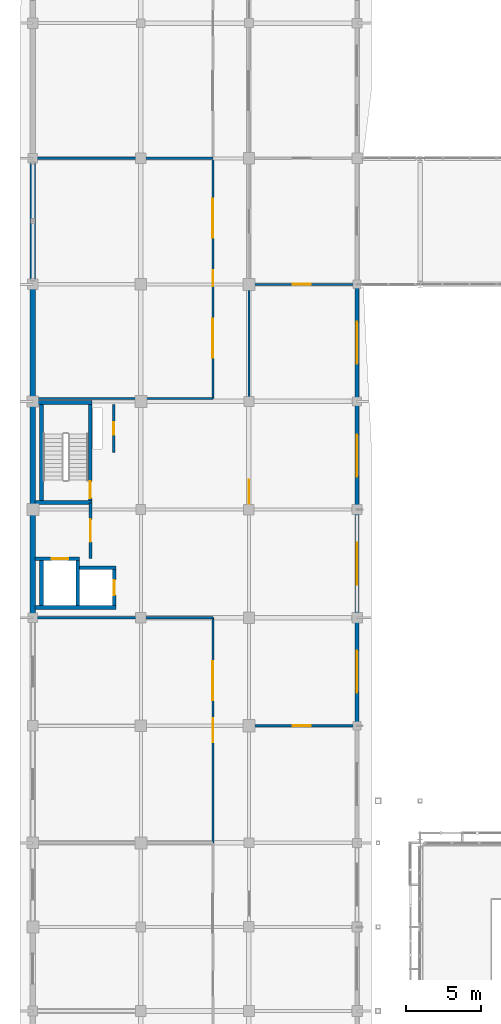
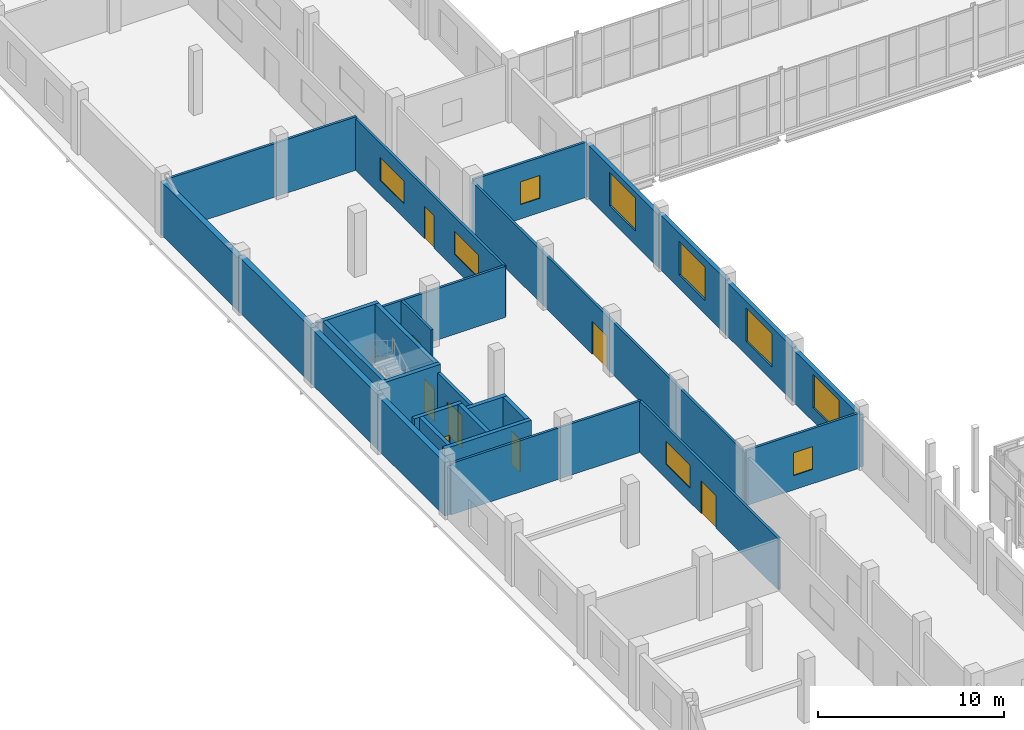
# One storey, part 96 of 121: 28 walls, 9 windows, 8 doors, 17 openings.
"""IFC4 building model written with IfcOpenShell, lengths in metres."""

from ifc_helpers import new_model, si_unit, direction, frame, frame_2d, origin, place, context, subcontext, project, spatial, rectangle, extrude, material, layer, layer_set, type_object, element, fill, save


model = new_model("IFC4")

# Units and contexts
model_context = context("Model", 3, precision=1e-05, world=origin(), true_north=direction((0.0, 1.0)))
body_context = subcontext(model_context, "Body", "Model", "MODEL_VIEW")
ifc_project = project(units=[si_unit("LENGTHUNIT", "METRE"), si_unit("AREAUNIT", "SQUARE_METRE"), si_unit("VOLUMEUNIT", "CUBIC_METRE"), si_unit("PLANEANGLEUNIT", "RADIAN"), si_unit("MASSUNIT", "GRAM", prefix="KILO")], contexts=[model_context])

# Site, building, storey
site_placement = place(None, origin())
site = spatial("IfcSite", under=ifc_project, at=site_placement, CompositionType="ELEMENT")
building_placement = place(site_placement, origin())
building = spatial("IfcBuilding", under=site, at=building_placement, Name="Vinh Khe Railworks Police Headquarters", CompositionType="ELEMENT")
storey_placement = place(building_placement, frame((0.0, 0.0, 4.800048828125)))
storey = spatial("IfcBuildingStorey", under=building, at=storey_placement, Name="L01", CompositionType="ELEMENT", Elevation=4.800048828125)

# Walls
ifc_material_1 = material(Name="Concrete C40/50 (B40)", Category="concrete")
ifc_layer_1 = layer(ifc_material_1, 0.25)
ifc_layer_set_1 = layer_set([ifc_layer_1], Name="Concrete C40/50 (B40)")
wall_type_1 = type_object("IfcWallType", Name="Core Shear Wall 250", PredefinedType="SHEAR", material=ifc_layer_set_1)
for number, where, z_axis, x_axis, name in (
    (1, (0.75, 81.47509765625, 0.0), (0.0, 0.0, 1.0), (1.0, 0.0, 0.0), "Core C2 STAIR-S Shear Wall (L01)"),
    (2, (0.75, 88.125, 0.0), (0.0, 0.0, 1.0), (1.0, 0.0, 0.0), "Core C2 STAIR-N Shear Wall (L01)"),
):
    element("IfcWall", number, at=place(storey_placement, frame(where, z_axis=z_axis, x_axis=x_axis)), inside=storey, type_object=wall_type_1, Name=name, PredefinedType="SHEAR", context=body_context, shape_type="SweptSolid", body=[
        extrude(rectangle(XDim=3.800048828125, YDim=0.25, at=frame_2d((1.89990234375, 0.0))), origin(), (0.0, 0.0, 1.0), 3.97998046875),
    ])
wall_1_placement = place(storey_placement, frame((1.175048828125, 81.60009765625, 0.0), z_axis=(0.0, 0.0, 1.0), x_axis=(0.0, 1.0, 0.0)))
element("IfcWall", 3, at=wall_1_placement, inside=storey, type_object=wall_type_1, Name="Core C2 STAIR-W Shear Wall (L01)", PredefinedType="SHEAR", context=body_context, shape_type="SweptSolid", body=[
    extrude(rectangle(XDim=6.39990234375, YDim=0.25, at=frame_2d((3.199951171875, 0.0))), origin(), (0.0, 0.0, 1.0), 3.97998046875),
])

# Wall, opening, door
wall_2_placement = place(storey_placement, frame((4.425048828125, 81.60009765625, 0.0), z_axis=(0.0, 0.0, 1.0), x_axis=(0.0, 1.0, 0.0)))
wall_2 = element("IfcWall", 4, at=wall_2_placement, inside=storey, type_object=wall_type_1, Name="Core C2 STAIR-E Shear Wall (L01)", PredefinedType="SHEAR", context=body_context, shape_type="SweptSolid", body=[
    extrude(rectangle(XDim=6.39990234375, YDim=0.25, at=frame_2d((3.199951171875, 0.0))), origin(), (0.0, 0.0, 1.0), 3.97998046875),
])
opening_1_placement = place(wall_2_placement, frame((0.169921875, 0.0, 0.0)))
opening_1 = element("IfcOpeningElement", 5, at=opening_1_placement, cuts=wall_2, Name="Opening FD-01", PredefinedType="OPENING", context=body_context, shape_type="SweptSolid", body=[
    extrude(rectangle(XDim=1.10009765625, YDim=2.14990234375, at=frame_2d((0.550048828125, 1.074951171875))), frame((0.0, 0.139892578125, 0.0), z_axis=(0.0, -1.0, 0.0), x_axis=(1.0, 0.0, 0.0)), (0.0, 0.0, 1.0), 0.27978515625),
])
ifc_material_2 = material(Name="Painted galvanised steel", Category="steel")
door_type_1 = type_object("IfcDoorType", Name="FD-1100x2150", OperationType="NOTDEFINED", PredefinedType="DOOR", material=ifc_material_2)
door_1_placement = place(opening_1_placement, frame((1.10009765625, 0.0, 0.0), z_axis=(0.0, 0.0, 1.0), x_axis=(-1.0, 0.0, 0.0)))
door_1 = element("IfcDoor", 6, at=door_1_placement, inside=storey, type_object=door_type_1, Name="Escape Stair ST-02 Fire Door L01", OperationType="SINGLE_SWING_RIGHT", OverallHeight=2.14990234375, OverallWidth=1.10009765625, PredefinedType="DOOR", context=body_context, shape_type="SweptSolid", body=[
    extrude(rectangle(XDim=1.10009765625, YDim=2.14990234375, at=frame_2d((0.550048828125, 1.074951171875))), frame((0.0, 0.02490234375, 0.0), z_axis=(0.0, -1.0, 0.0), x_axis=(1.0, 0.0, 0.0)), (0.0, 0.0, 1.0), 0.050048828125),
])
fill(opening_1, door_1)

# Wall
wall_3_placement = place(storey_placement, frame((0.75, 74.47509765625, 0.0), z_axis=(0.0, 0.0, 1.0), x_axis=(1.0, 0.0, 0.0)))
element("IfcWall", 7, at=wall_3_placement, inside=storey, type_object=wall_type_1, Name="Core C2 FL-S Lift Shaft Wall (L01)", PredefinedType="SHEAR", context=body_context, shape_type="SweptSolid", body=[
    extrude(rectangle(XDim=5.39990234375, YDim=0.25, at=frame_2d((2.699951171875, 0.0))), origin(), (0.0, 0.0, 1.0), 3.97998046875),
])

# Wall, opening, door
wall_4_placement = place(storey_placement, frame((0.75, 77.72509765625, 0.0), z_axis=(0.0, 0.0, 1.0), x_axis=(1.0, 0.0, 0.0)))
wall_4 = element("IfcWall", 8, at=wall_4_placement, inside=storey, type_object=wall_type_1, Name="Core C2 FL-N Lift Shaft Wall (L01)", PredefinedType="SHEAR", context=body_context, shape_type="SweptSolid", body=[
    extrude(rectangle(XDim=2.97509765625, YDim=0.25, at=frame_2d((1.487548828125, 0.0))), origin(), (0.0, 0.0, 1.0), 3.97998046875),
])
opening_2_placement = place(wall_4_placement, frame((1.10009765625, 0.0, 0.0)))
opening_2 = element("IfcOpeningElement", 9, at=opening_2_placement, cuts=wall_4, Name="Opening LD-01", PredefinedType="OPENING", context=body_context, shape_type="SweptSolid", body=[
    extrude(rectangle(XDim=1.10009765625, YDim=2.14990234375, at=frame_2d((0.550048828125, 1.074951171875))), frame((0.0, 0.139892578125, 0.0), z_axis=(0.0, -1.0, 0.0), x_axis=(1.0, 0.0, 0.0)), (0.0, 0.0, 1.0), 0.27978515625),
])
door_type_2 = type_object("IfcDoorType", Name="LD-FF-1100", OperationType="SLIDING_TO_LEFT", PredefinedType="DOOR", material=ifc_material_2)
door_2_placement = place(opening_2_placement, origin())
door_2 = element("IfcDoor", 10, at=door_2_placement, inside=storey, type_object=door_type_2, Name="Firefighting Lift Landing Door FL-02 L01", OperationType="SLIDING_TO_LEFT", OverallHeight=2.14990234375, OverallWidth=1.10009765625, PredefinedType="DOOR", context=body_context, shape_type="SweptSolid", body=[
    extrude(rectangle(XDim=1.10009765625, YDim=2.14990234375, at=frame_2d((0.550048828125, 1.074951171875))), frame((0.0, 0.02490234375, 0.0), z_axis=(0.0, -1.0, 0.0), x_axis=(1.0, 0.0, 0.0)), (0.0, 0.0, 1.0), 0.050048828125),
])
fill(opening_2, door_2)

# Walls
wall_5_placement = place(storey_placement, frame((3.72509765625, 77.125, 0.0), z_axis=(0.0, 0.0, 1.0), x_axis=(1.0, 0.0, 0.0)))
element("IfcWall", 11, at=wall_5_placement, inside=storey, type_object=wall_type_1, Name="Core C2 PL-N Lift Shaft Wall (L01)", PredefinedType="SHEAR", context=body_context, shape_type="SweptSolid", body=[
    extrude(rectangle(XDim=2.4248046875, YDim=0.25, at=frame_2d((1.21240234375, 0.0))), origin(), (0.0, 0.0, 1.0), 3.97998046875),
])
for number, where, z_axis, x_axis, name in (
    (12, (1.175048828125, 74.60009765625, 0.0), (0.0, 0.0, 1.0), (0.0, 1.0, 0.0), "Core C2 FL-W Lift Shaft Wall (L01)"),
    (13, (3.60009765625, 74.60009765625, 0.0), (0.0, 0.0, 1.0), (0.0, 1.0, 0.0), "Core C2 LIFT-DIV Lift Shaft Wall (L01)"),
):
    element("IfcWall", number, at=place(storey_placement, frame(where, z_axis=z_axis, x_axis=x_axis)), inside=storey, type_object=wall_type_1, Name=name, PredefinedType="SHEAR", context=body_context, shape_type="SweptSolid", body=[
        extrude(rectangle(XDim=3.0, YDim=0.25, at=frame_2d((1.5, 0.0))), origin(), (0.0, 0.0, 1.0), 3.97998046875),
    ])

# Wall, opening, door
wall_6_placement = place(storey_placement, frame((6.02490234375, 74.60009765625, 0.0), z_axis=(0.0, 0.0, 1.0), x_axis=(0.0, 1.0, 0.0)))
wall_6 = element("IfcWall", 14, at=wall_6_placement, inside=storey, type_object=wall_type_1, Name="Core C2 PL-E Lift Shaft Wall (L01)", PredefinedType="SHEAR", context=body_context, shape_type="SweptSolid", body=[
    extrude(rectangle(XDim=2.39990234375, YDim=0.25, at=frame_2d((1.199951171875, 0.0))), origin(), (0.0, 0.0, 1.0), 3.97998046875),
])
opening_3_placement = place(wall_6_placement, frame((0.699951171875, 0.0, 0.0)))
opening_3 = element("IfcOpeningElement", 15, at=opening_3_placement, cuts=wall_6, Name="Opening LD-02", PredefinedType="OPENING", context=body_context, shape_type="SweptSolid", body=[
    extrude(rectangle(XDim=1.0, YDim=2.14990234375, at=frame_2d((0.5, 1.074951171875))), frame((0.0, 0.139892578125, 0.0), z_axis=(0.0, -1.0, 0.0), x_axis=(1.0, 0.0, 0.0)), (0.0, 0.0, 1.0), 0.27978515625),
])
door_type_3 = type_object("IfcDoorType", Name="LD-PAX-1000", OperationType="SLIDING_TO_RIGHT", PredefinedType="DOOR", material=ifc_material_2)
door_3_placement = place(opening_3_placement, frame((1.0, 0.0, 0.0), z_axis=(0.0, 0.0, 1.0), x_axis=(-1.0, 0.0, 0.0)))
door_3 = element("IfcDoor", 16, at=door_3_placement, inside=storey, type_object=door_type_3, Name="Passenger Lift Landing Door PL-02 L01", OperationType="SLIDING_TO_RIGHT", OverallHeight=2.14990234375, OverallWidth=1.0, PredefinedType="DOOR", context=body_context, shape_type="SweptSolid", body=[
    extrude(rectangle(XDim=1.0, YDim=2.14990234375, at=frame_2d((0.5, 1.074951171875))), frame((0.0, 0.02490234375, 0.0), z_axis=(0.0, -1.0, 0.0), x_axis=(1.0, 0.0, 0.0)), (0.0, 0.0, 1.0), 0.050048828125),
])
fill(opening_3, door_3)

# Wall, opening, window
ifc_material_3 = material(Name="Clay brickwork", Category="masonry")
ifc_layer_2 = layer(ifc_material_3, 0.260009765625)
ifc_layer_set_2 = layer_set([ifc_layer_2], Name="Clay brickwork")
wall_type_2 = type_object("IfcWallType", Name="EW-BRK-260", PredefinedType="SOLIDWALL", material=ifc_layer_set_2)
wall_7_placement = place(storey_placement, frame((22.199951171875, 66.60009765625, 0.0), z_axis=(0.0, 0.0, 1.0), x_axis=(0.0, 1.0, 0.0)))
wall_7 = element("IfcWall", 17, at=wall_7_placement, inside=storey, type_object=wall_type_2, Name="Exterior Brick Wall EW-L01-V5E-09", PredefinedType="SOLIDWALL", context=body_context, shape_type="SweptSolid", body=[
    extrude(rectangle(XDim=7.199951171875, YDim=0.260009765625, at=frame_2d((3.60009765625, 0.0))), origin(), (0.0, 0.0, 1.0), 3.425048828125),
])
opening_4_placement = place(wall_7_placement, frame((2.199951171875, 0.0, 0.89990234375)))
opening_4 = element("IfcOpeningElement", 18, at=opening_4_placement, cuts=wall_7, Name="Opening WN-01", PredefinedType="OPENING", context=body_context, shape_type="SweptSolid", body=[
    extrude(rectangle(XDim=2.800048828125, YDim=2.199951171875, at=frame_2d((1.39990234375, 1.10009765625))), frame((0.0, 0.14501953125, 0.0), z_axis=(0.0, -1.0, 0.0), x_axis=(1.0, 0.0, 0.0)), (0.0, 0.0, 1.0), 0.289794921875),
])
ifc_material_4 = material(Name="Double-glazed solar-control glass in dark steel frame", Category="steel")
window_type_1 = type_object("IfcWindowType", Name="WIN-WN-01", PartitioningType="DOUBLE_PANEL_VERTICAL", PredefinedType="WINDOW", material=ifc_material_4)
window_1_placement = place(opening_4_placement, origin())
window_1 = element("IfcWindow", 19, at=window_1_placement, inside=storey, type_object=window_type_1, Name="Casement Window WN-01", OverallHeight=2.199951171875, OverallWidth=2.800048828125, PartitioningType="SINGLE_PANEL", PredefinedType="WINDOW", context=body_context, shape_type="SweptSolid", body=[
    extrude(rectangle(XDim=2.800048828125, YDim=2.199951171875, at=frame_2d((1.39990234375, 1.10009765625))), frame((0.0, 0.030029296875, 0.0), z_axis=(0.0, -1.0, 0.0), x_axis=(1.0, 0.0, 0.0)), (0.0, 0.0, 1.0), 0.06005859375),
])
fill(opening_4, window_1)

wall_8_placement = place(storey_placement, frame((22.199951171875, 73.800048828125, 0.0), z_axis=(0.0, 0.0, 1.0), x_axis=(0.0, 1.0, 0.0)))
wall_8 = element("IfcWall", 20, at=wall_8_placement, inside=storey, type_object=wall_type_2, Name="Exterior Brick Wall EW-L01-V5E-10", PredefinedType="SOLIDWALL", context=body_context, shape_type="SweptSolid", body=[
    extrude(rectangle(XDim=7.199951171875, YDim=0.260009765625, at=frame_2d((3.60009765625, 0.0))), origin(), (0.0, 0.0, 1.0), 3.52490234375),
])
opening_5_placement = place(wall_8_placement, frame((2.199951171875, 0.0, 0.89990234375)))
opening_5 = element("IfcOpeningElement", 21, at=opening_5_placement, cuts=wall_8, Name="Opening WN-01", PredefinedType="OPENING", context=body_context, shape_type="SweptSolid", body=[
    extrude(rectangle(XDim=2.800048828125, YDim=2.199951171875, at=frame_2d((1.39990234375, 1.10009765625))), frame((0.0, 0.14501953125, 0.0), z_axis=(0.0, -1.0, 0.0), x_axis=(1.0, 0.0, 0.0)), (0.0, 0.0, 1.0), 0.289794921875),
])
window_2_placement = place(opening_5_placement, origin())
window_2 = element("IfcWindow", 22, at=window_2_placement, inside=storey, type_object=window_type_1, Name="Casement Window WN-01", OverallHeight=2.199951171875, OverallWidth=2.800048828125, PartitioningType="SINGLE_PANEL", PredefinedType="WINDOW", context=body_context, shape_type="SweptSolid", body=[
    extrude(rectangle(XDim=2.800048828125, YDim=2.199951171875, at=frame_2d((1.39990234375, 1.10009765625))), frame((0.0, 0.030029296875, 0.0), z_axis=(0.0, -1.0, 0.0), x_axis=(1.0, 0.0, 0.0)), (0.0, 0.0, 1.0), 0.06005859375),
])
fill(opening_5, window_2)

wall_9_placement = place(storey_placement, frame((22.199951171875, 81.0, 0.0), z_axis=(0.0, 0.0, 1.0), x_axis=(0.0, 1.0, 0.0)))
wall_9 = element("IfcWall", 23, at=wall_9_placement, inside=storey, type_object=wall_type_2, Name="Exterior Brick Wall EW-L01-V5E-11", PredefinedType="SOLIDWALL", context=body_context, shape_type="SweptSolid", body=[
    extrude(rectangle(XDim=7.199951171875, YDim=0.260009765625, at=frame_2d((3.60009765625, 0.0))), origin(), (0.0, 0.0, 1.0), 3.625),
])
opening_6_placement = place(wall_9_placement, frame((2.199951171875, 0.0, 0.89990234375)))
opening_6 = element("IfcOpeningElement", 24, at=opening_6_placement, cuts=wall_9, Name="Opening WN-01", PredefinedType="OPENING", context=body_context, shape_type="SweptSolid", body=[
    extrude(rectangle(XDim=2.800048828125, YDim=2.199951171875, at=frame_2d((1.39990234375, 1.10009765625))), frame((0.0, 0.14501953125, 0.0), z_axis=(0.0, -1.0, 0.0), x_axis=(1.0, 0.0, 0.0)), (0.0, 0.0, 1.0), 0.289794921875),
])
window_3_placement = place(opening_6_placement, origin())
window_3 = element("IfcWindow", 25, at=window_3_placement, inside=storey, type_object=window_type_1, Name="Casement Window WN-01", OverallHeight=2.199951171875, OverallWidth=2.800048828125, PartitioningType="SINGLE_PANEL", PredefinedType="WINDOW", context=body_context, shape_type="SweptSolid", body=[
    extrude(rectangle(XDim=2.800048828125, YDim=2.199951171875, at=frame_2d((1.39990234375, 1.10009765625))), frame((0.0, 0.030029296875, 0.0), z_axis=(0.0, -1.0, 0.0), x_axis=(1.0, 0.0, 0.0)), (0.0, 0.0, 1.0), 0.06005859375),
])
fill(opening_6, window_3)

wall_10_placement = place(storey_placement, frame((22.199951171875, 88.199951171875, 0.0), z_axis=(0.0, 0.0, 1.0), x_axis=(0.0, 1.0, 0.0)))
wall_10 = element("IfcWall", 26, at=wall_10_placement, inside=storey, type_object=wall_type_2, Name="Exterior Brick Wall EW-L01-V5E-12", PredefinedType="SOLIDWALL", context=body_context, shape_type="SweptSolid", body=[
    extrude(rectangle(XDim=7.800048828125, YDim=0.260009765625, at=frame_2d((3.89990234375, 0.0))), origin(), (0.0, 0.0, 1.0), 3.48486328125),
])
opening_7_placement = place(wall_10_placement, frame((2.5, 0.0, 0.89990234375)))
opening_7 = element("IfcOpeningElement", 27, at=opening_7_placement, cuts=wall_10, Name="Opening WN-01", PredefinedType="OPENING", context=body_context, shape_type="SweptSolid", body=[
    extrude(rectangle(XDim=2.800048828125, YDim=2.199951171875, at=frame_2d((1.39990234375, 1.10009765625))), frame((0.0, 0.14501953125, 0.0), z_axis=(0.0, -1.0, 0.0), x_axis=(1.0, 0.0, 0.0)), (0.0, 0.0, 1.0), 0.289794921875),
])
window_4_placement = place(opening_7_placement, origin())
window_4 = element("IfcWindow", 28, at=window_4_placement, inside=storey, type_object=window_type_1, Name="Casement Window WN-01", OverallHeight=2.199951171875, OverallWidth=2.800048828125, PartitioningType="SINGLE_PANEL", PredefinedType="WINDOW", context=body_context, shape_type="SweptSolid", body=[
    extrude(rectangle(XDim=2.800048828125, YDim=2.199951171875, at=frame_2d((1.39990234375, 1.10009765625))), frame((0.0, 0.030029296875, 0.0), z_axis=(0.0, -1.0, 0.0), x_axis=(1.0, 0.0, 0.0)), (0.0, 0.0, 1.0), 0.06005859375),
])
fill(opening_7, window_4)

# Walls
ifc_layer_3 = layer(ifc_material_3, 0.340087890625)
ifc_layer_set_3 = layer_set([ifc_layer_3], Name="Clay brickwork")
wall_type_3 = type_object("IfcWallType", Name="EW-BRK-340", PredefinedType="SOLIDWALL", material=ifc_layer_set_3)
wall_11_placement = place(storey_placement, frame((0.60009765625, 73.800048828125, 0.0), z_axis=(0.0, 0.0, 1.0), x_axis=(0.0, 1.0, 0.0)))
element("IfcWall", 29, at=wall_11_placement, inside=storey, type_object=wall_type_3, Name="Exterior Brick Wall EW-L01-V5W-10", PredefinedType="SOLIDWALL", context=body_context, shape_type="SweptSolid", body=[
    extrude(rectangle(XDim=7.199951171875, YDim=0.340087890625, at=frame_2d((3.60009765625, 0.0))), origin(), (0.0, 0.0, 1.0), 3.52490234375),
])
wall_12_placement = place(storey_placement, frame((0.60009765625, 81.0, 0.0), z_axis=(0.0, 0.0, 1.0), x_axis=(0.0, 1.0, 0.0)))
element("IfcWall", 30, at=wall_12_placement, inside=storey, type_object=wall_type_3, Name="Exterior Brick Wall EW-L01-V5W-11", PredefinedType="SOLIDWALL", context=body_context, shape_type="SweptSolid", body=[
    extrude(rectangle(XDim=7.199951171875, YDim=0.340087890625, at=frame_2d((3.60009765625, 0.0))), origin(), (0.0, 0.0, 1.0), 3.625),
])
wall_13_placement = place(storey_placement, frame((0.60009765625, 88.199951171875, 0.0), z_axis=(0.0, 0.0, 1.0), x_axis=(0.0, 1.0, 0.0)))
element("IfcWall", 31, at=wall_13_placement, inside=storey, type_object=wall_type_3, Name="Exterior Brick Wall EW-L01-V5W-12", PredefinedType="SOLIDWALL", context=body_context, shape_type="SweptSolid", body=[
    extrude(rectangle(XDim=7.800048828125, YDim=0.340087890625, at=frame_2d((3.89990234375, 0.0))), origin(), (0.0, 0.0, 1.0), 3.64501953125),
])
wall_14_placement = place(storey_placement, frame((0.60009765625, 96.0, 0.0), z_axis=(0.0, 0.0, 1.0), x_axis=(0.0, 1.0, 0.0)))
element("IfcWall", 32, at=wall_14_placement, inside=storey, type_object=wall_type_3, Name="Exterior Brick Wall EW-L01-V5W-13", PredefinedType="SOLIDWALL", context=body_context, shape_type="SweptSolid", body=[
    extrude(rectangle(XDim=8.39990234375, YDim=0.340087890625, at=frame_2d((4.199951171875, 0.0))), origin(), (0.0, 0.0, 1.0), 3.48486328125),
])

# Wall, opening, door
ifc_material_5 = material(Name="Autoclaved aerated concrete blockwork", Category="masonry")
ifc_layer_4 = layer(ifc_material_5, 0.199951171875)
ifc_layer_set_4 = layer_set([ifc_layer_4], Name="Autoclaved aerated concrete blockwork")
wall_type_4 = type_object("IfcWallType", Name="IW-BLK-200", PredefinedType="PARTITIONING", material=ifc_layer_set_4)
wall_15_placement = place(storey_placement, frame((4.449951171875, 77.75, 0.0), z_axis=(0.0, 0.0, 1.0), x_axis=(0.0, 1.0, 0.0)))
wall_15 = element("IfcWall", 33, at=wall_15_placement, inside=storey, type_object=wall_type_4, Name="Interior Partition W-FFL-C2-E-L01", PredefinedType="PARTITIONING", context=body_context, shape_type="SweptSolid", body=[
    extrude(rectangle(XDim=3.699951171875, YDim=0.199951171875, at=frame_2d((1.85009765625, 0.0))), origin(), (0.0, 0.0, 1.0), 3.474853515625),
])
opening_8_placement = place(wall_15_placement, frame((1.10009765625, 0.0, 0.0)))
opening_8 = element("IfcOpeningElement", 34, at=opening_8_placement, cuts=wall_15, Name="Opening FD-02", PredefinedType="OPENING", context=body_context, shape_type="SweptSolid", body=[
    extrude(rectangle(XDim=1.5, YDim=2.14990234375, at=frame_2d((0.75, 1.074951171875))), frame((0.0, 0.11474609375, 0.0), z_axis=(0.0, -1.0, 0.0), x_axis=(1.0, 0.0, 0.0)), (0.0, 0.0, 1.0), 0.229736328125),
])
door_type_4 = type_object("IfcDoorType", Name="FD-1500x2150", OperationType="DOUBLE_DOOR_SINGLE_SWING", PredefinedType="DOOR", material=ifc_material_2)
door_4_placement = place(opening_8_placement, origin())
door_4 = element("IfcDoor", 35, at=door_4_placement, inside=storey, type_object=door_type_4, Name="Firefighting Lobby Fire Door", OperationType="DOUBLE_DOOR_SINGLE_SWING", OverallHeight=2.14990234375, OverallWidth=1.5, PredefinedType="DOOR", context=body_context, shape_type="SweptSolid", body=[
    extrude(rectangle(XDim=1.5, YDim=2.14990234375, at=frame_2d((0.75, 1.074951171875))), frame((0.0, 0.02490234375, 0.0), z_axis=(0.0, -1.0, 0.0), x_axis=(1.0, 0.0, 0.0)), (0.0, 0.0, 1.0), 0.050048828125),
])
fill(opening_8, door_4)

# Walls
ifc_material_6 = material(Name="Gypsum plasterboard on steel stud", Category="steel")
ifc_layer_5 = layer(ifc_material_6, 0.1201171875)
ifc_layer_set_5 = layer_set([ifc_layer_5], Name="Gypsum plasterboard on steel stud")
wall_type_5 = type_object("IfcWallType", Name="IW-PART-120", PredefinedType="PARTITIONING", material=ifc_layer_set_5)
for number, where, z_axis, x_axis, name in (
    (36, (0.780029296875, 73.800048828125, 0.0), (0.0, 0.0, 1.0), (1.0, 0.0, 0.0), "Interior Partition W-L01-V5-CID2-ENDN"),
    (37, (0.780029296875, 88.39990234375, 0.0), (0.0, 0.0, 1.0), (1.0, 0.0, 0.0), "Interior Partition W-L01-V5-IDENT-DIV"),
):
    element("IfcWall", number, at=place(storey_placement, frame(where, z_axis=z_axis, x_axis=x_axis)), inside=storey, type_object=wall_type_5, Name=name, PredefinedType="PARTITIONING", context=body_context, shape_type="SweptSolid", body=[
        extrude(rectangle(XDim=11.820068359375, YDim=0.14990234375, at=frame_2d((5.91015625, 0.0))), origin(), (0.0, 0.0, 1.0), 3.375),
    ])
wall_16_placement = place(storey_placement, frame((0.780029296875, 104.39990234375, 0.0), z_axis=(0.0, 0.0, 1.0), x_axis=(1.0, 0.0, 0.0)))
element("IfcWall", 38, at=wall_16_placement, inside=storey, type_object=wall_type_5, Name="Interior Partition W-L01-V5-CASE1-DIV", PredefinedType="PARTITIONING", context=body_context, shape_type="SweptSolid", body=[
    extrude(rectangle(XDim=11.820068359375, YDim=0.14990234375, at=frame_2d((5.91015625, 0.0))), origin(), (0.0, 0.0, 1.0), 3.52490234375),
])

# Wall, opening, window
wall_17_placement = place(storey_placement, frame((15.0, 66.60009765625, 0.0), z_axis=(0.0, 0.0, 1.0), x_axis=(1.0, 0.0, 0.0)))
wall_17 = element("IfcWall", 39, at=wall_17_placement, inside=storey, type_object=wall_type_5, Name="Interior Partition W-L01-V5-DET3-DIV", PredefinedType="PARTITIONING", context=body_context, shape_type="SweptSolid", body=[
    extrude(rectangle(XDim=7.06005859375, YDim=0.14990234375, at=frame_2d((3.530029296875, 0.0))), origin(), (0.0, 0.0, 1.0), 3.625),
])
opening_9_placement = place(wall_17_placement, frame((2.929931640625, 0.0, 0.949951171875)))
opening_9 = element("IfcOpeningElement", 40, at=opening_9_placement, cuts=wall_17, Name="Opening WN-10", PredefinedType="OPENING", context=body_context, shape_type="SweptSolid", body=[
    extrude(rectangle(XDim=1.199951171875, YDim=1.5, at=frame_2d((0.60009765625, 0.75))), frame((0.0, 0.08984375, 0.0), z_axis=(0.0, -1.0, 0.0), x_axis=(1.0, 0.0, 0.0)), (0.0, 0.0, 1.0), 0.1796875),
])
window_type_2 = type_object("IfcWindowType", Name="WIN-WN-10", PartitioningType="SINGLE_PANEL", PredefinedType="WINDOW", material=ifc_material_4)
window_5_placement = place(opening_9_placement, origin())
window_5 = element("IfcWindow", 41, at=window_5_placement, inside=storey, type_object=window_type_2, Name="Interior Acoustic Vision Window WN-10", OverallHeight=1.5, OverallWidth=1.199951171875, PartitioningType="SINGLE_PANEL", PredefinedType="WINDOW", context=body_context, shape_type="SweptSolid", body=[
    extrude(rectangle(XDim=1.199951171875, YDim=1.5, at=frame_2d((0.60009765625, 0.75))), frame((0.0, 0.030029296875, 0.0), z_axis=(0.0, -1.0, 0.0), x_axis=(1.0, 0.0, 0.0)), (0.0, 0.0, 1.0), 0.06005859375),
])
fill(opening_9, window_5)

wall_18_placement = place(storey_placement, frame((15.0, 96.0, 0.0), z_axis=(0.0, 0.0, 1.0), x_axis=(1.0, 0.0, 0.0)))
wall_18 = element("IfcWall", 42, at=wall_18_placement, inside=storey, type_object=wall_type_5, Name="Interior Partition W-L01-V5-BRG0-DIV", PredefinedType="PARTITIONING", context=body_context, shape_type="SweptSolid", body=[
    extrude(rectangle(XDim=7.06005859375, YDim=0.14990234375, at=frame_2d((3.530029296875, 0.0))), origin(), (0.0, 0.0, 1.0), 3.625),
])
opening_10_placement = place(wall_18_placement, frame((2.929931640625, 0.0, 0.949951171875)))
opening_10 = element("IfcOpeningElement", 43, at=opening_10_placement, cuts=wall_18, Name="Opening WN-10", PredefinedType="OPENING", context=body_context, shape_type="SweptSolid", body=[
    extrude(rectangle(XDim=1.199951171875, YDim=1.5, at=frame_2d((0.60009765625, 0.75))), frame((0.0, 0.08984375, 0.0), z_axis=(0.0, -1.0, 0.0), x_axis=(1.0, 0.0, 0.0)), (0.0, 0.0, 1.0), 0.1796875),
])
window_6_placement = place(opening_10_placement, origin())
window_6 = element("IfcWindow", 44, at=window_6_placement, inside=storey, type_object=window_type_2, Name="Interior Acoustic Vision Window WN-10", OverallHeight=1.5, OverallWidth=1.199951171875, PartitioningType="SINGLE_PANEL", PredefinedType="WINDOW", context=body_context, shape_type="SweptSolid", body=[
    extrude(rectangle(XDim=1.199951171875, YDim=1.5, at=frame_2d((0.60009765625, 0.75))), frame((0.0, 0.030029296875, 0.0), z_axis=(0.0, -1.0, 0.0), x_axis=(1.0, 0.0, 0.0)), (0.0, 0.0, 1.0), 0.06005859375),
])
fill(opening_10, window_6)

# Wall, opening, door
ifc_material_7 = material(Name="Gypsum plasterboard on acoustic steel stud", Category="steel")
ifc_layer_6 = layer(ifc_material_7, 0.14990234375)
ifc_layer_set_6 = layer_set([ifc_layer_6], Name="Gypsum plasterboard on acoustic steel stud")
wall_type_6 = type_object("IfcWallType", Name="IW-PART-150", PredefinedType="PARTITIONING", material=ifc_layer_set_6)
wall_19_placement = place(storey_placement, frame((6.0, 84.800048828125, 0.0), z_axis=(0.0, 0.0, 1.0), x_axis=(0.0, 1.0, 0.0)))
wall_19 = element("IfcWall", 45, at=wall_19_placement, inside=storey, type_object=wall_type_6, Name="Interior Partition W-RSR-C2-E-L01", PredefinedType="PARTITIONING", context=body_context, shape_type="SweptSolid", body=[
    extrude(rectangle(XDim=3.199951171875, YDim=0.14990234375, at=frame_2d((1.60009765625, 0.0))), origin(), (0.0, 0.0, 1.0), 3.64501953125),
])
opening_11_placement = place(wall_19_placement, frame((1.175048828125, 0.0, 0.0)))
opening_11 = element("IfcOpeningElement", 46, at=opening_11_placement, cuts=wall_19, Name="Opening FD-04", PredefinedType="OPENING", context=body_context, shape_type="SweptSolid", body=[
    extrude(rectangle(XDim=0.85009765625, YDim=2.10009765625, at=frame_2d((0.425048828125, 1.050048828125))), frame((0.0, 0.08984375, 0.0), z_axis=(0.0, -1.0, 0.0), x_axis=(1.0, 0.0, 0.0)), (0.0, 0.0, 1.0), 0.1796875),
])
door_type_5 = type_object("IfcDoorType", Name="FD-850x2100", OperationType="NOTDEFINED", PredefinedType="DOOR", material=ifc_material_2)
door_5_placement = place(opening_11_placement, origin())
door_5 = element("IfcDoor", 47, at=door_5_placement, inside=storey, type_object=door_type_5, Name="Wet Riser Access Door", OperationType="SINGLE_SWING_RIGHT", OverallHeight=2.10009765625, OverallWidth=0.85009765625, PredefinedType="DOOR", context=body_context, shape_type="SweptSolid", body=[
    extrude(rectangle(XDim=0.85009765625, YDim=2.10009765625, at=frame_2d((0.425048828125, 1.050048828125))), frame((0.0, 0.02490234375, 0.0), z_axis=(0.0, -1.0, 0.0), x_axis=(1.0, 0.0, 0.0)), (0.0, 0.0, 1.0), 0.050048828125),
])
fill(opening_11, door_5)

# Wall, openings, door, window
wall_20_placement = place(storey_placement, frame((12.60009765625, 58.800048828125, 0.0), z_axis=(0.0, 0.0, 1.0), x_axis=(0.0, 1.0, 0.0)))
wall_20 = element("IfcWall", 48, at=wall_20_placement, inside=storey, type_object=wall_type_6, Name="Interior Partition W-L01-V5-CID2-CW", PredefinedType="PARTITIONING", context=body_context, shape_type="SweptSolid", body=[
    extrude(rectangle(XDim=15.0, YDim=0.14990234375, at=frame_2d((7.5, 0.0))), origin(), (0.0, 0.0, 1.0), 3.375),
])
opening_12_placement = place(wall_20_placement, frame((6.699951171875, 0.0, 0.0)))
opening_12 = element("IfcOpeningElement", 49, at=opening_12_placement, cuts=wall_20, Name="Opening D-03", PredefinedType="OPENING", context=body_context, shape_type="SweptSolid", body=[
    extrude(rectangle(XDim=1.60009765625, YDim=2.14990234375, at=frame_2d((0.800048828125, 1.074951171875))), frame((0.0, 0.08984375, 0.0), z_axis=(0.0, -1.0, 0.0), x_axis=(1.0, 0.0, 0.0)), (0.0, 0.0, 1.0), 0.1796875),
])
opening_13_placement = place(wall_20_placement, frame((9.5, 0.0, 0.949951171875)))
opening_13 = element("IfcOpeningElement", 50, at=opening_13_placement, cuts=wall_20, Name="Opening WN-07", PredefinedType="OPENING", context=body_context, shape_type="SweptSolid", body=[
    extrude(rectangle(XDim=2.60009765625, YDim=1.5, at=frame_2d((1.300048828125, 0.75))), frame((0.0, 0.08984375, 0.0), z_axis=(0.0, -1.0, 0.0), x_axis=(1.0, 0.0, 0.0)), (0.0, 0.0, 1.0), 0.1796875),
])
door_type_6 = type_object("IfcDoorType", Name="ID-1600x2150", OperationType="DOUBLE_DOOR_SINGLE_SWING", PredefinedType="DOOR", material=ifc_material_2)
door_6_placement = place(opening_12_placement, origin())
door_6 = element("IfcDoor", 51, at=door_6_placement, inside=storey, type_object=door_type_6, Name="General Criminal Investigation Office 2 Door", OperationType="DOUBLE_DOOR_SINGLE_SWING", OverallHeight=2.14990234375, OverallWidth=1.60009765625, PredefinedType="DOOR", context=body_context, shape_type="SweptSolid", body=[
    extrude(rectangle(XDim=1.60009765625, YDim=2.14990234375, at=frame_2d((0.800048828125, 1.074951171875))), frame((0.0, 0.02490234375, 0.0), z_axis=(0.0, -1.0, 0.0), x_axis=(1.0, 0.0, 0.0)), (0.0, 0.0, 1.0), 0.050048828125),
])
fill(opening_12, door_6)
window_type_3 = type_object("IfcWindowType", Name="WIN-WN-07", PartitioningType="DOUBLE_PANEL_HORIZONTAL", PredefinedType="WINDOW", material=ifc_material_4)
window_7_placement = place(opening_13_placement, origin())
window_7 = element("IfcWindow", 52, at=window_7_placement, inside=storey, type_object=window_type_3, Name="Interior Acoustic Vision Window WN-07", OverallHeight=1.5, OverallWidth=2.60009765625, PartitioningType="SINGLE_PANEL", PredefinedType="WINDOW", context=body_context, shape_type="SweptSolid", body=[
    extrude(rectangle(XDim=2.60009765625, YDim=1.5, at=frame_2d((1.300048828125, 0.75))), frame((0.0, 0.030029296875, 0.0), z_axis=(0.0, -1.0, 0.0), x_axis=(1.0, 0.0, 0.0)), (0.0, 0.0, 1.0), 0.06005859375),
])
fill(opening_13, window_7)

# Wall, openings, door, windows
wall_21_placement = place(storey_placement, frame((12.60009765625, 88.39990234375, 0.0), z_axis=(0.0, 0.0, 1.0), x_axis=(0.0, 1.0, 0.0)))
wall_21 = element("IfcWall", 53, at=wall_21_placement, inside=storey, type_object=wall_type_6, Name="Interior Partition W-L01-V5-IDENT-CW", PredefinedType="PARTITIONING", context=body_context, shape_type="SweptSolid", body=[
    extrude(rectangle(XDim=16.0, YDim=0.14990234375, at=frame_2d((8.0, 0.0))), origin(), (0.0, 0.0, 1.0), 3.375),
])
opening_14_placement = place(wall_21_placement, frame((7.47509765625, 0.0, 0.0)))
opening_14 = element("IfcOpeningElement", 54, at=opening_14_placement, cuts=wall_21, Name="Opening D-02", PredefinedType="OPENING", context=body_context, shape_type="SweptSolid", body=[
    extrude(rectangle(XDim=1.050048828125, YDim=2.14990234375, at=frame_2d((0.52490234375, 1.074951171875))), frame((0.0, 0.08984375, 0.0), z_axis=(0.0, -1.0, 0.0), x_axis=(1.0, 0.0, 0.0)), (0.0, 0.0, 1.0), 0.1796875),
])
opening_15_placement = place(wall_21_placement, frame((2.699951171875, 0.0, 0.949951171875)))
opening_15 = element("IfcOpeningElement", 55, at=opening_15_placement, cuts=wall_21, Name="Opening WN-07", PredefinedType="OPENING", context=body_context, shape_type="SweptSolid", body=[
    extrude(rectangle(XDim=2.60009765625, YDim=1.5, at=frame_2d((1.300048828125, 0.75))), frame((0.0, 0.08984375, 0.0), z_axis=(0.0, -1.0, 0.0), x_axis=(1.0, 0.0, 0.0)), (0.0, 0.0, 1.0), 0.1796875),
])
opening_16_placement = place(wall_21_placement, frame((10.699951171875, 0.0, 0.949951171875)))
opening_16 = element("IfcOpeningElement", 56, at=opening_16_placement, cuts=wall_21, Name="Opening WN-07", PredefinedType="OPENING", context=body_context, shape_type="SweptSolid", body=[
    extrude(rectangle(XDim=2.60009765625, YDim=1.5, at=frame_2d((1.300048828125, 0.75))), frame((0.0, 0.08984375, 0.0), z_axis=(0.0, -1.0, 0.0), x_axis=(1.0, 0.0, 0.0)), (0.0, 0.0, 1.0), 0.1796875),
])
ifc_material_8 = material(Name="Seasoned hardwood timber", Category="wood")
door_type_7 = type_object("IfcDoorType", Name="ID-1050x2150", OperationType="NOTDEFINED", PredefinedType="DOOR", material=ifc_material_8)
door_7_placement = place(opening_14_placement, origin())
door_7 = element("IfcDoor", 57, at=door_7_placement, inside=storey, type_object=door_type_7, Name="Suspect Identification Suite Door", OperationType="SINGLE_SWING_RIGHT", OverallHeight=2.14990234375, OverallWidth=1.050048828125, PredefinedType="DOOR", context=body_context, shape_type="SweptSolid", body=[
    extrude(rectangle(XDim=1.050048828125, YDim=2.14990234375, at=frame_2d((0.52490234375, 1.074951171875))), frame((0.0, 0.02490234375, 0.0), z_axis=(0.0, -1.0, 0.0), x_axis=(1.0, 0.0, 0.0)), (0.0, 0.0, 1.0), 0.050048828125),
])
fill(opening_14, door_7)
window_8_placement = place(opening_15_placement, origin())
window_8 = element("IfcWindow", 58, at=window_8_placement, inside=storey, type_object=window_type_3, Name="Interior Acoustic Vision Window WN-07", OverallHeight=1.5, OverallWidth=2.60009765625, PartitioningType="SINGLE_PANEL", PredefinedType="WINDOW", context=body_context, shape_type="SweptSolid", body=[
    extrude(rectangle(XDim=2.60009765625, YDim=1.5, at=frame_2d((1.300048828125, 0.75))), frame((0.0, 0.030029296875, 0.0), z_axis=(0.0, -1.0, 0.0), x_axis=(1.0, 0.0, 0.0)), (0.0, 0.0, 1.0), 0.06005859375),
])
fill(opening_15, window_8)
window_9_placement = place(opening_16_placement, origin())
window_9 = element("IfcWindow", 59, at=window_9_placement, inside=storey, type_object=window_type_3, Name="Interior Acoustic Vision Window WN-07", OverallHeight=1.5, OverallWidth=2.60009765625, PartitioningType="SINGLE_PANEL", PredefinedType="WINDOW", context=body_context, shape_type="SweptSolid", body=[
    extrude(rectangle(XDim=2.60009765625, YDim=1.5, at=frame_2d((1.300048828125, 0.75))), frame((0.0, 0.030029296875, 0.0), z_axis=(0.0, -1.0, 0.0), x_axis=(1.0, 0.0, 0.0)), (0.0, 0.0, 1.0), 0.06005859375),
])
fill(opening_16, window_9)

# Wall, opening, door
wall_22_placement = place(storey_placement, frame((15.0, 66.60009765625, 0.0), z_axis=(0.0, 0.0, 1.0), x_axis=(0.0, 1.0, 0.0)))
wall_22 = element("IfcWall", 60, at=wall_22_placement, inside=storey, type_object=wall_type_6, Name="Interior Partition W-L01-V5-DET3-CE", PredefinedType="PARTITIONING", context=body_context, shape_type="SweptSolid", body=[
    extrude(rectangle(XDim=29.39990234375, YDim=0.14990234375, at=frame_2d((14.699951171875, 0.0))), origin(), (0.0, 0.0, 1.0), 3.474853515625),
])
opening_17_placement = place(wall_22_placement, frame((14.800048828125, 0.0, 0.0)))
opening_17 = element("IfcOpeningElement", 61, at=opening_17_placement, cuts=wall_22, Name="Opening D-03", PredefinedType="OPENING", context=body_context, shape_type="SweptSolid", body=[
    extrude(rectangle(XDim=1.60009765625, YDim=2.14990234375, at=frame_2d((0.800048828125, 1.074951171875))), frame((0.0, 0.08984375, 0.0), z_axis=(0.0, -1.0, 0.0), x_axis=(1.0, 0.0, 0.0)), (0.0, 0.0, 1.0), 0.1796875),
])
door_8_placement = place(opening_17_placement, origin())
door_8 = element("IfcDoor", 62, at=door_8_placement, inside=storey, type_object=door_type_6, Name="Detective Squad Workroom North Door", OperationType="DOUBLE_DOOR_SINGLE_SWING", OverallHeight=2.14990234375, OverallWidth=1.60009765625, PredefinedType="DOOR", context=body_context, shape_type="SweptSolid", body=[
    extrude(rectangle(XDim=1.60009765625, YDim=2.14990234375, at=frame_2d((0.800048828125, 1.074951171875))), frame((0.0, 0.02490234375, 0.0), z_axis=(0.0, -1.0, 0.0), x_axis=(1.0, 0.0, 0.0)), (0.0, 0.0, 1.0), 0.050048828125),
])
fill(opening_17, door_8)

save(model, "model.ifc")
